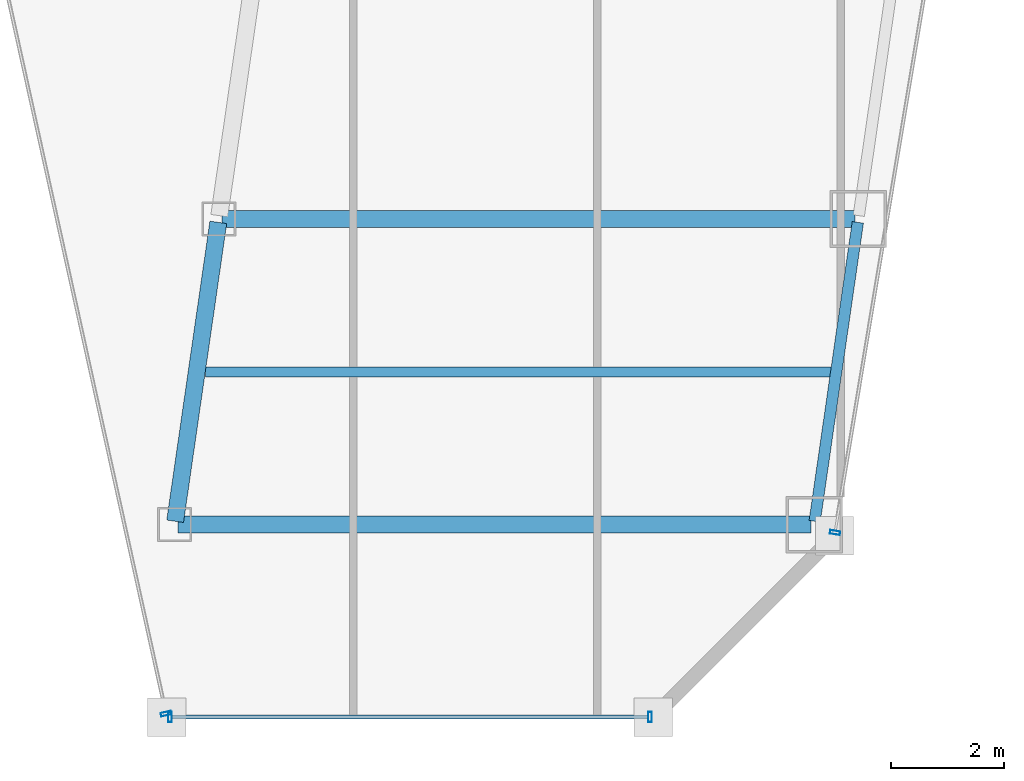
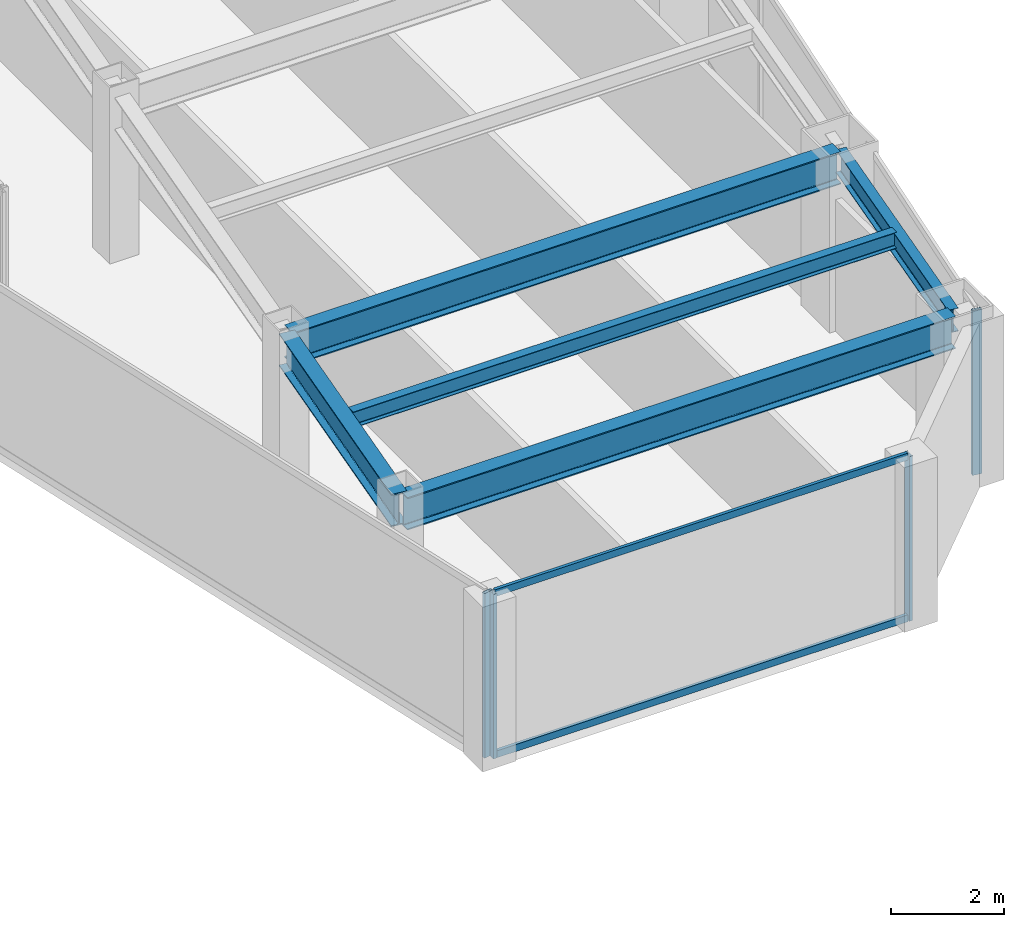
# One storey, part 14 of 36: 6 members, 5 beams, 3 elements without a shape of their own.
"""IFC4 building model written with IfcOpenShell, lengths in metres."""

from ifc_helpers import new_model, si_unit, direction, frame, origin, origin_2d, place, context, subcontext, project, spatial, hollow_rectangle, i_section, extrude, material, material_profile, profile_set, type_object, element, aggregate, save


model = new_model("IFC4")

# Units and contexts
model_context = context("Model", 3, precision=1e-05, world=origin(), true_north=direction((0.0, 1.0)))
body_context = subcontext(model_context, "Body", "Model", "MODEL_VIEW")
ifc_project = project(units=[si_unit("LENGTHUNIT", "METRE"), si_unit("AREAUNIT", "SQUARE_METRE"), si_unit("VOLUMEUNIT", "CUBIC_METRE"), si_unit("PLANEANGLEUNIT", "RADIAN"), si_unit("MASSUNIT", "GRAM", prefix="KILO")], contexts=[model_context])

# Site, building, storey
site_placement = place(None, origin())
site = spatial("IfcSite", under=ifc_project, at=site_placement, CompositionType="ELEMENT")
building_placement = place(site_placement, origin())
building = spatial("IfcBuilding", under=site, at=building_placement, Name="Saevonmaru Cultural Tower", CompositionType="ELEMENT")
storey_placement = place(building_placement, frame((0.0, 0.0, 148.60009765625)))
storey = spatial("IfcBuildingStorey", under=building, at=storey_placement, Name="L32", CompositionType="ELEMENT", Elevation=148.60009765625)

# Beams
ifc_material_1 = material(Name="Steel SM355", Category="steel")
ifc_material_profile_1 = material_profile(ifc_material_1, i_section(OverallWidth=0.300048828125, OverallDepth=0.699951171875, WebThickness=0.012939453125, FlangeThickness=0.02392578125, FilletRadius=0.02587890625, at=origin_2d()), Name="H-700x300x13x24")
ifc_profile_set_1 = profile_set([ifc_material_profile_1], Name="Steel SM355")
beam_type_1 = type_object("IfcBeamType", Name="BM-G-H700", PredefinedType="BEAM", material=ifc_profile_set_1)
beam_1_placement = place(storey_placement, frame((37.300537109375, 10.659423828125, 3.199951171875), z_axis=(0.142977693794, 0.989725911087, 0.0), x_axis=(-0.989725911087, 0.142977693794, 0.0)))
element("IfcBeam", 1, at=beam_1_placement, inside=storey, type_object=beam_type_1, Name="L32 East Atrium Girder 1", PredefinedType="BEAM", context=body_context, shape_type="SweptSolid", body=[
    extrude(i_section(OverallWidth=0.300048828125, OverallDepth=0.699951171875, WebThickness=0.012939453125, FlangeThickness=0.02392578125, FilletRadius=0.02587890625, at=origin_2d()), origin(), (0.0, 0.0, 1.0), 5.336181640625),
])
for number, where, z_axis, x_axis, name in (
    (2, (37.35205078125, 10.60009765625, 3.199951171875), (1.0, 0.0, 0.0), (0.0, 1.0, 0.0), "L32 East Wing Transverse Girder 1"),
    (3, (38.132080078125, 16.0, 3.199951171875), (1.0, 0.0, 0.0), (0.0, 1.0, 0.0), "L32 East Wing Transverse Girder 2"),
):
    element("IfcBeam", number, at=place(storey_placement, frame(where, z_axis=z_axis, x_axis=x_axis)), inside=storey, type_object=beam_type_1, Name=name, PredefinedType="BEAM", context=body_context, shape_type="SweptSolid", body=[
        extrude(i_section(OverallWidth=0.300048828125, OverallDepth=0.699951171875, WebThickness=0.012939453125, FlangeThickness=0.02392578125, FilletRadius=0.02587890625, at=origin_2d()), origin(), (0.0, 0.0, 1.0), 11.179931640625),
    ])
ifc_material_profile_2 = material_profile(ifc_material_1, i_section(OverallWidth=0.175048828125, OverallDepth=0.35009765625, WebThickness=0.007080078125, FlangeThickness=0.010986328125, FilletRadius=0.012939453125, at=origin_2d()), Name="H-350x175x7x11")
ifc_profile_set_2 = profile_set([ifc_material_profile_2], Name="Steel SM355")
beam_type_2 = type_object("IfcBeamType", Name="BM-J-H350", PredefinedType="JOIST", material=ifc_profile_set_2)
beam_2_placement = place(storey_placement, frame((37.840087890625, 13.300048828125, 3.375), z_axis=(1.0, 0.0, 0.0), x_axis=(0.0, 1.0, 0.0)))
element("IfcBeam", 4, at=beam_2_placement, inside=storey, type_object=beam_type_2, Name="L32 East Wing Floor Joist 1", PredefinedType="JOIST", context=body_context, shape_type="SweptSolid", body=[
    extrude(i_section(OverallWidth=0.175048828125, OverallDepth=0.35009765625, WebThickness=0.007080078125, FlangeThickness=0.010986328125, FilletRadius=0.012939453125, at=origin_2d()), origin(), (0.0, 0.0, 1.0), 11.08203125),
])
ifc_material_profile_3 = material_profile(ifc_material_1, i_section(OverallWidth=0.199951171875, OverallDepth=0.5, WebThickness=0.010009765625, FlangeThickness=0.01611328125, FilletRadius=0.02001953125, at=origin_2d()), Name="H-500x200x10x16")
ifc_profile_set_3 = profile_set([ifc_material_profile_3], Name="Steel SM355")
beam_type_3 = type_object("IfcBeamType", Name="BM-SP-H500", PredefinedType="SPANDREL", material=ifc_profile_set_3)
beam_3_placement = place(storey_placement, frame((48.6005859375, 10.659423828125, 3.2998046875), z_axis=(0.1429328758, 0.989732384544, 0.0), x_axis=(-0.989732384544, 0.1429328758, 0.0)))
element("IfcBeam", 5, at=beam_3_placement, inside=storey, type_object=beam_type_3, Name="L32 East Splayed Spandrel 1", PredefinedType="SPANDREL", context=body_context, shape_type="SweptSolid", body=[
    extrude(i_section(OverallWidth=0.199951171875, OverallDepth=0.5, WebThickness=0.010009765625, FlangeThickness=0.01611328125, FilletRadius=0.02001953125, at=origin_2d()), origin(), (0.0, 0.0, 1.0), 5.3359375),
])

# Curtain wall, member
ifc_material_2 = material(Name="Satin Bronze Anodised Aluminium", Category="aluminium")
curtain_wall_type = type_object("IfcCurtainWallType", Name="CW-TYP-A", PredefinedType="NOTDEFINED", material=ifc_material_2)
curtain_wall_1_placement = place(storey_placement, origin())
curtain_wall_1 = element("IfcCurtainWall", 6, at=curtain_wall_1_placement, inside=storey, type_object=curtain_wall_type, Name="L32 Unitised Curtain Wall E5", PredefinedType="NOTDEFINED")
ifc_material_profile_4 = material_profile(ifc_material_2, hollow_rectangle(XDim=0.06494140625, YDim=0.179931640625, WallThickness=0.00390625, at=origin_2d()), Name="ALU-MULL-180x65x4")
ifc_profile_set_4 = profile_set([ifc_material_profile_4], Name="Satin Bronze Anodised Aluminium")
member_type_1 = type_object("IfcMemberType", Name="ML-CW-180x65", PredefinedType="MULLION", material=ifc_profile_set_4)
member_1_placement = place(storey_placement, frame((37.13818359375, 7.258544921875, 0.0), z_axis=(0.0, 0.0, 1.0), x_axis=(0.215413319953, -0.976522965212, 0.0)))
member_1 = element("IfcMember", 7, at=member_1_placement, type_object=member_type_1, Name="CW-TW-L32-E5 mullion 2", PredefinedType="MULLION", context=body_context, shape_type="SweptSolid", body=[
    extrude(hollow_rectangle(XDim=0.06494140625, YDim=0.179931640625, WallThickness=0.00390625, at=origin_2d()), origin(), (0.0, 0.0, 1.0), 3.5498046875),
])
aggregate(curtain_wall_1, [member_1])

# Curtain wall, members
curtain_wall_2_placement = place(storey_placement, origin())
curtain_wall_2 = element("IfcCurtainWall", 8, at=curtain_wall_2_placement, inside=storey, type_object=curtain_wall_type, Name="L32 Unitised Curtain Wall E6", PredefinedType="NOTDEFINED")
member_2_placement = place(storey_placement, frame((37.211181640625, 7.199951171875, 0.0), z_axis=(0.0, 0.0, 1.0), x_axis=(1.0, 0.0, 0.0)))
member_2 = element("IfcMember", 9, at=member_2_placement, type_object=member_type_1, Name="CW-TW-L32-E6 mullion 1", PredefinedType="MULLION", context=body_context, shape_type="SweptSolid", body=[
    extrude(hollow_rectangle(XDim=0.06494140625, YDim=0.179931640625, WallThickness=0.00390625, at=origin_2d()), origin(), (0.0, 0.0, 1.0), 3.5498046875),
])
member_3_placement = place(storey_placement, frame((45.691162109375, 7.199951171875, 0.0), z_axis=(0.0, 0.0, 1.0), x_axis=(1.0, 0.0, 0.0)))
member_3 = element("IfcMember", 10, at=member_3_placement, type_object=member_type_1, Name="CW-TW-L32-E6 mullion 2", PredefinedType="MULLION", context=body_context, shape_type="SweptSolid", body=[
    extrude(hollow_rectangle(XDim=0.06494140625, YDim=0.179931640625, WallThickness=0.00390625, at=origin_2d()), origin(), (0.0, 0.0, 1.0), 3.5498046875),
])

# Curtain wall, member
curtain_wall_3_placement = place(storey_placement, origin())
curtain_wall_3 = element("IfcCurtainWall", 11, at=curtain_wall_3_placement, inside=storey, type_object=curtain_wall_type, Name="L32 Unitised Curtain Wall E8", PredefinedType="NOTDEFINED")
member_4_placement = place(storey_placement, frame((48.9609375, 10.459228515625, 0.0), z_axis=(0.0, 0.0, 1.0), x_axis=(0.163998702345, 0.986460554523, 0.0)))
member_4 = element("IfcMember", 12, at=member_4_placement, type_object=member_type_1, Name="CW-TW-L32-E8 mullion 1", PredefinedType="MULLION", context=body_context, shape_type="SweptSolid", body=[
    extrude(hollow_rectangle(XDim=0.06494140625, YDim=0.179931640625, WallThickness=0.00390625, at=origin_2d()), origin(), (0.0, 0.0, 1.0), 3.5498046875),
])
aggregate(curtain_wall_3, [member_4])

# Member
ifc_material_profile_5 = material_profile(ifc_material_2, hollow_rectangle(XDim=0.06494140625, YDim=0.14990234375, WallThickness=0.00390625, at=origin_2d()), Name="ALU-TRAN-150x65x4")
ifc_profile_set_5 = profile_set([ifc_material_profile_5], Name="Satin Bronze Anodised Aluminium")
member_type_2 = type_object("IfcMemberType", Name="TR-CW-150x65", PredefinedType="USERDEFINED", material=ifc_profile_set_5)
member_5_placement = place(storey_placement, frame((37.24365234375, 7.199951171875, 0.032470703125), z_axis=(1.0, 0.0, 0.0), x_axis=(0.0, 1.0, 0.0)))
member_5 = element("IfcMember", 13, at=member_5_placement, type_object=member_type_2, Name="CW-TW-L32-E6 transom 1.1", ObjectType="TRANSOM", PredefinedType="USERDEFINED", context=body_context, shape_type="SweptSolid", body=[
    extrude(hollow_rectangle(XDim=0.06494140625, YDim=0.14990234375, WallThickness=0.00390625, at=origin_2d()), origin(), (0.0, 0.0, 1.0), 8.4150390625),
])

member_6_placement = place(storey_placement, frame((37.24365234375, 7.199951171875, 3.517333984375), z_axis=(1.0, 0.0, 0.0), x_axis=(0.0, 1.0, 0.0)))
member_6 = element("IfcMember", 14, at=member_6_placement, type_object=member_type_2, Name="CW-TW-L32-E6 transom 1.2", ObjectType="TRANSOM", PredefinedType="USERDEFINED", context=body_context, shape_type="SweptSolid", body=[
    extrude(hollow_rectangle(XDim=0.06494140625, YDim=0.14990234375, WallThickness=0.00390625, at=origin_2d()), origin(), (0.0, 0.0, 1.0), 8.4150390625),
])

aggregate(curtain_wall_2, [member_2, member_3, member_5, member_6])

save(model, "model.ifc")
